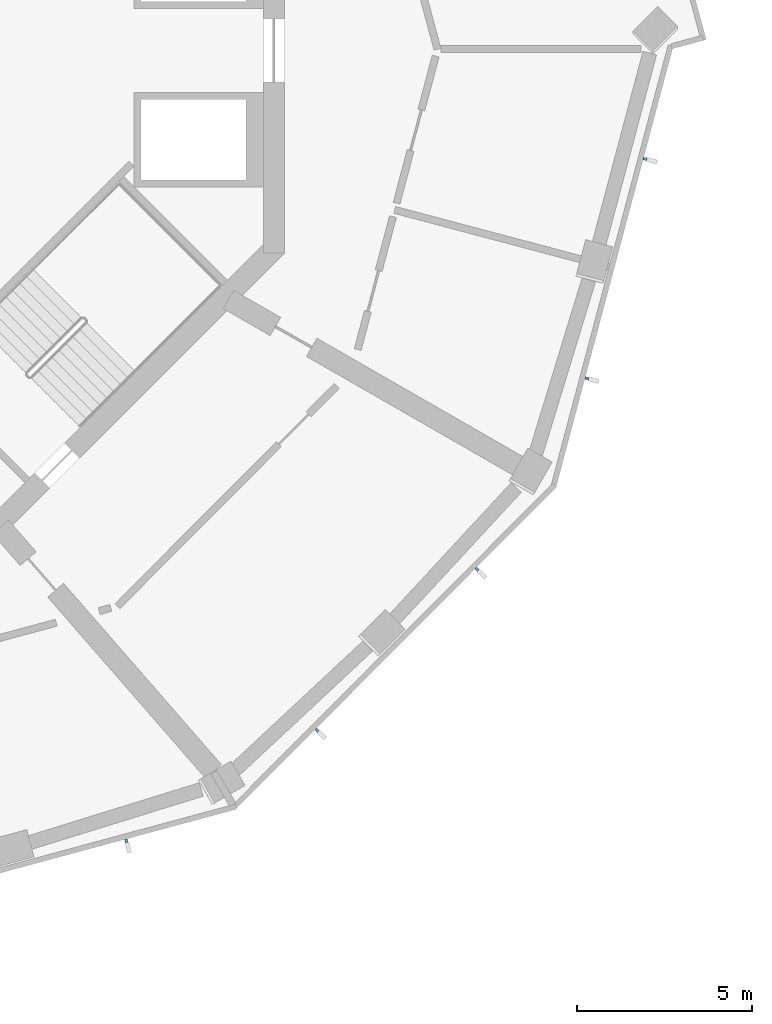
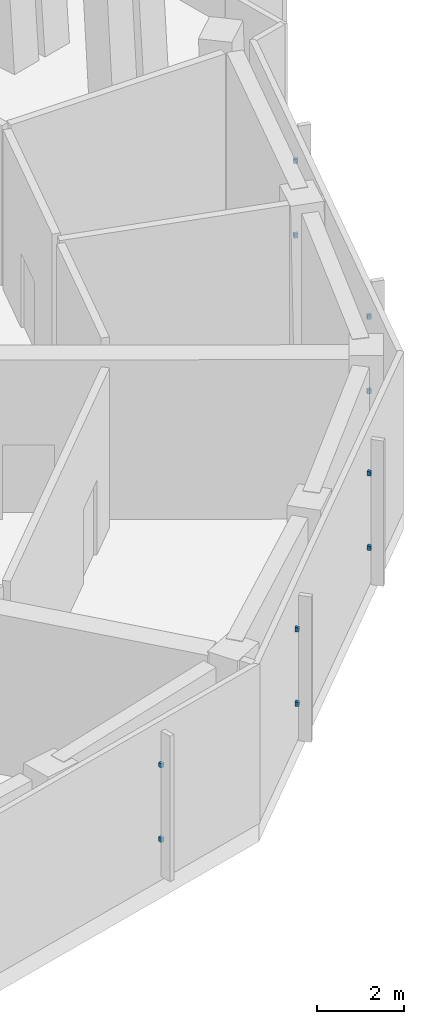
# One storey, part 8 of 16: 10 discrete accessories.
"""IFC4 building model written with IfcOpenShell, lengths in metres."""

from ifc_helpers import new_model, si_unit, direction, frame, origin, origin_2d, place, context, subcontext, project, spatial, rectangle, extrude, element, save


model = new_model("IFC4")

# Units and contexts
model_context = context("Model", 3, precision=1e-05, world=origin(), true_north=direction((0.0, 1.0)))
body_context = subcontext(model_context, "Body", "Model", "MODEL_VIEW")
ifc_project = project(units=[si_unit("LENGTHUNIT", "METRE"), si_unit("AREAUNIT", "SQUARE_METRE"), si_unit("VOLUMEUNIT", "CUBIC_METRE"), si_unit("PLANEANGLEUNIT", "RADIAN"), si_unit("MASSUNIT", "GRAM", prefix="KILO")], contexts=[model_context])

# Site, building, storey
site_placement = place(None, origin())
site = spatial("IfcSite", under=ifc_project, at=site_placement, CompositionType="ELEMENT")
building_placement = place(site_placement, origin())
building = spatial("IfcBuilding", under=site, at=building_placement, Name="Verdalira Terraces Hotel", CompositionType="ELEMENT")
storey_placement = place(building_placement, frame((0.0, 0.0, 216.0)))
storey = spatial("IfcBuildingStorey", under=building, at=storey_placement, Name="L53", CompositionType="ELEMENT", Elevation=216.0)

# Discrete accessories
for number, where, z_axis, x_axis, name in (
    (1, (9.478027, -22.619141, 1.139893), (0.0, 0.0, 1.0), (0.965381639, 0.260841506, 0.0), "Fin bracket"),
    (2, (9.478027, -22.619141, 3.23999), (0.0, 0.0, 1.0), (0.965381639, 0.260841506, 0.0), "Fin bracket"),
    (3, (14.931152, -19.455566, 1.139893), (0.0, 0.0, 1.0), (0.70562427, 0.70858619, 0.0), "Fin bracket"),
    (4, (14.931152, -19.455566, 3.23999), (0.0, 0.0, 1.0), (0.70562427, 0.70858619, 0.0), "Fin bracket"),
    (5, (19.517822, -14.849609, 1.139893), (0.0, 0.0, 1.0), (0.70562427, 0.70858619, 0.0), "Fin bracket"),
    (6, (19.517822, -14.849609, 3.23999), (0.0, 0.0, 1.0), (0.70562427, 0.70858619, 0.0), "Fin bracket"),
    (7, (22.658691, -9.383301, 1.139893), (0.0, 0.0, 1.0), (0.256795449, 0.966465777, 0.0), "Fin bracket"),
    (8, (22.658691, -9.383301, 3.23999), (0.0, 0.0, 1.0), (0.256795449, 0.966465777, 0.0), "Fin bracket"),
    (9, (24.327637, -3.101318, 1.139893), (0.0, 0.0, 1.0), (0.256795449, 0.966465777, 0.0), "Fin bracket"),
    (10, (24.327637, -3.101318, 3.23999), (0.0, 0.0, 1.0), (0.256795449, 0.966465777, 0.0), "Fin bracket"),
):
    element("IfcDiscreteAccessory", number, at=place(storey_placement, frame(where, z_axis=z_axis, x_axis=x_axis)), inside=storey, Name=name, PredefinedType="BRACKET", context=body_context, shape_type="SweptSolid", body=[
        extrude(rectangle(XDim=0.080078, YDim=0.100098, at=origin_2d()), origin(), (0.0, 0.0, 1.0), 0.120117),
    ])

save(model, "model.ifc")
